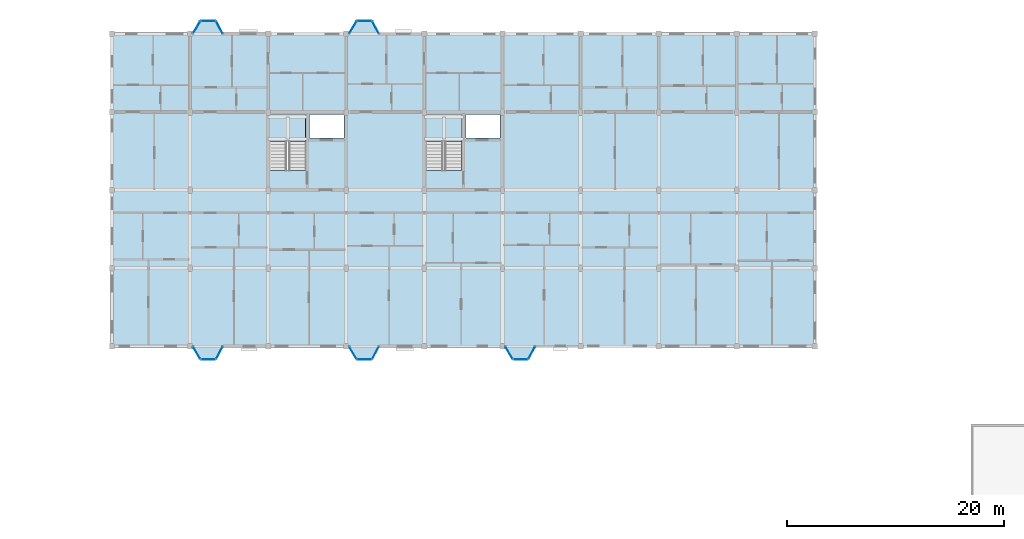
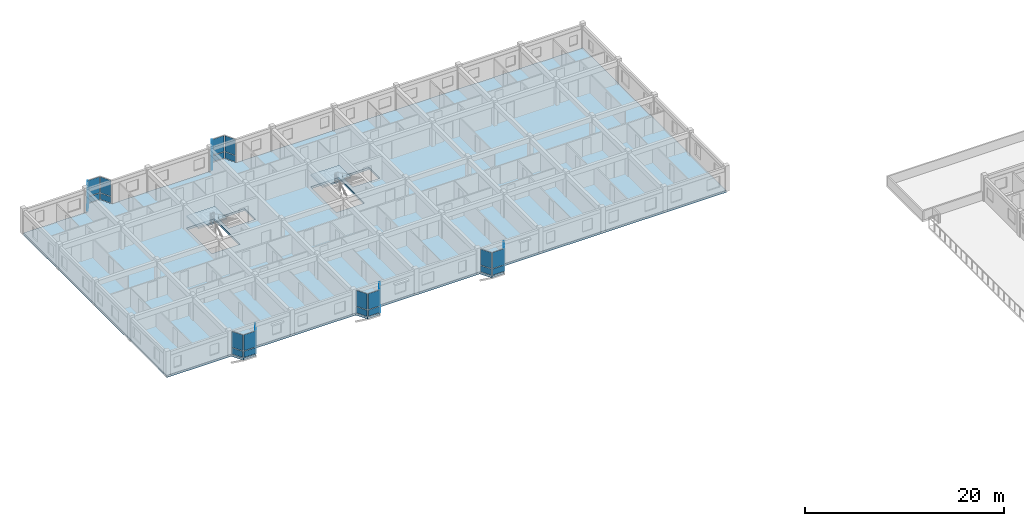
# One storey, part 45 of 70: 30 plates, 3 slabs, 17 elements without a shape of their own.
"""IFC4 building model written with IfcOpenShell, lengths in metres."""

from ifc_helpers import new_model, si_unit, direction, frame, origin, origin_2d, place, context, subcontext, project, spatial, polyline, rectangle, outline, extrude, material, layer, layer_set, type_object, element, aggregate, save


model = new_model("IFC4")

# Units and contexts
model_context = context("Model", 3, precision=1e-05, world=origin(), true_north=direction((0.0, 1.0)))
body_context = subcontext(model_context, "Body", "Model", "MODEL_VIEW")
ifc_project = project(units=[si_unit("LENGTHUNIT", "METRE"), si_unit("AREAUNIT", "SQUARE_METRE"), si_unit("VOLUMEUNIT", "CUBIC_METRE"), si_unit("PLANEANGLEUNIT", "RADIAN"), si_unit("MASSUNIT", "GRAM", prefix="KILO"), si_unit("THERMODYNAMICTEMPERATUREUNIT", "KELVIN"), si_unit("POWERUNIT", "WATT")], contexts=[model_context])

# Site, building, storey
site_placement = place(None, origin())
site = spatial("IfcSite", under=ifc_project, at=site_placement, CompositionType="ELEMENT")
building_placement = place(site_placement, origin())
building = spatial("IfcBuilding", under=site, at=building_placement, Name="Tavuni Mirador Residences", CompositionType="ELEMENT")
storey_placement = place(building_placement, frame((0.0, 0.0, 23.39990234375)))
storey = spatial("IfcBuildingStorey", under=building, at=storey_placement, Name="L07", CompositionType="ELEMENT", Elevation=23.39990234375)

# Curtain wall, plate
ifc_material_1 = material(Name="Anodised aluminium", Category="aluminium")
ifc_layer_1 = layer(ifc_material_1, 0.1650390625, Name="Anodised aluminium", Category="aluminium")
ifc_layer_set_1 = layer_set([ifc_layer_1], Name="Anodised aluminium")
curtain_wall_type_1 = type_object("IfcCurtainWallType", Name="CWT-MIR-A", PredefinedType="NOTDEFINED", material=ifc_layer_set_1)
curtain_wall_1_placement = place(storey_placement, origin())
curtain_wall_1 = element("IfcCurtainWall", 1, at=curtain_wall_1_placement, inside=storey, type_object=curtain_wall_type_1, Name="CW-MIR-C-S1-L07-MF", PredefinedType="NOTDEFINED")
ifc_material_2 = material(Name="Laminated solar-control glass", Category="glass")
ifc_layer_2 = layer(ifc_material_2, 0.02392578125, Name="Laminated solar-control glass", Category="glass")
ifc_layer_set_2 = layer_set([ifc_layer_2], Name="Laminated solar-control glass")
plate_type_1 = type_object("IfcPlateType", Name="CWP-GL24", PredefinedType="CURTAIN_PANEL", material=ifc_layer_set_2)
plate_1_placement = place(storey_placement, frame((19.669921875, 142.800048828125, 0.8798828125), z_axis=(0.0, 0.0, 1.0), x_axis=(1.0, 0.0, 0.0)))
plate_1 = element("IfcPlate", 2, at=plate_1_placement, type_object=plate_type_1, Name="CW-01 panel 1.2", PredefinedType="CURTAIN_PANEL", context=body_context, shape_type="SweptSolid", body=[
    extrude(rectangle(XDim=1.300048828125, YDim=0.02392578125, at=origin_2d()), origin(), (0.0, 0.0, 1.0), 1.945068359375),
])

curtain_wall_2_placement = place(storey_placement, origin())
curtain_wall_2 = element("IfcCurtainWall", 3, at=curtain_wall_2_placement, inside=storey, type_object=curtain_wall_type_1, Name="CW-MIR-C-S2-L07-M2", PredefinedType="NOTDEFINED")
plate_2_placement = place(storey_placement, frame((35.10009765625, 143.39990234375, 0.8798828125), z_axis=(0.0, 0.0, 1.0), x_axis=(0.470588235296, 0.882352941175, 0.0)))
plate_2 = element("IfcPlate", 4, at=plate_2_placement, type_object=plate_type_1, Name="CW-01 panel 1.2", PredefinedType="CURTAIN_PANEL", context=body_context, shape_type="SweptSolid", body=[
    extrude(rectangle(XDim=1.239990234375, YDim=0.02392578125, at=origin_2d()), origin(), (0.0, 0.0, 1.0), 1.945068359375),
])

curtain_wall_3_placement = place(storey_placement, origin())
curtain_wall_3 = element("IfcCurtainWall", 5, at=curtain_wall_3_placement, inside=storey, type_object=curtain_wall_type_1, Name="CW-MIR-C-N2-L07-M1", PredefinedType="NOTDEFINED")
plate_3_placement = place(storey_placement, frame((35.10009765625, 173.39990234375, 0.8798828125), z_axis=(0.0, 0.0, 1.0), x_axis=(-0.470588235296, 0.882352941175, 0.0)))
plate_3 = element("IfcPlate", 6, at=plate_3_placement, type_object=plate_type_1, Name="CW-01 panel 1.2", PredefinedType="CURTAIN_PANEL", context=body_context, shape_type="SweptSolid", body=[
    extrude(rectangle(XDim=1.239990234375, YDim=0.02392578125, at=origin_2d()), origin(), (0.0, 0.0, 1.0), 1.945068359375),
])

curtain_wall_4_placement = place(storey_placement, origin())
curtain_wall_4 = element("IfcCurtainWall", 7, at=curtain_wall_4_placement, inside=storey, type_object=curtain_wall_type_1, Name="CW-MIR-C-N1-L07-MF", PredefinedType="NOTDEFINED")
plate_4_placement = place(storey_placement, frame((19.669921875, 174.0, 0.8798828125), z_axis=(0.0, 0.0, 1.0), x_axis=(-1.0, 0.0, 0.0)))
plate_4 = element("IfcPlate", 8, at=plate_4_placement, type_object=plate_type_1, Name="CW-01 panel 1.2", PredefinedType="CURTAIN_PANEL", context=body_context, shape_type="SweptSolid", body=[
    extrude(rectangle(XDim=1.300048828125, YDim=0.02392578125, at=origin_2d()), origin(), (0.0, 0.0, 1.0), 1.945068359375),
])

ifc_layer_3 = layer(ifc_material_1, 0.14990234375, Name="Anodised aluminium", Category="aluminium")
ifc_layer_set_3 = layer_set([ifc_layer_3], Name="Anodised aluminium")
curtain_wall_type_2 = type_object("IfcCurtainWallType", Name="CWT-MIR-B", PredefinedType="NOTDEFINED", material=ifc_layer_set_3)
curtain_wall_5_placement = place(storey_placement, origin())
curtain_wall_5 = element("IfcCurtainWall", 9, at=curtain_wall_5_placement, inside=storey, type_object=curtain_wall_type_2, Name="CW-MIR-C-S1-L07-M2", PredefinedType="NOTDEFINED")
ifc_layer_4 = layer(ifc_material_2, 0.028076171875, Name="Laminated solar-control glass", Category="glass")
ifc_layer_set_4 = layer_set([ifc_layer_4], Name="Laminated solar-control glass")
plate_type_2 = type_object("IfcPlateType", Name="CWP-GL28", PredefinedType="CURTAIN_PANEL", material=ifc_layer_set_4)
plate_5_placement = place(storey_placement, frame((20.699951171875, 143.39990234375, 0.882568359375), z_axis=(0.0, 0.0, 1.0), x_axis=(0.470588235296, 0.882352941175, 0.0)))
plate_5 = element("IfcPlate", 10, at=plate_5_placement, type_object=plate_type_2, Name="CW-02 panel 1.2", PredefinedType="CURTAIN_PANEL", context=body_context, shape_type="SweptSolid", body=[
    extrude(rectangle(XDim=1.22998046875, YDim=0.028076171875, at=origin_2d()), origin(), (0.0, 0.0, 1.0), 1.9375),
])

curtain_wall_6_placement = place(storey_placement, origin())
curtain_wall_6 = element("IfcCurtainWall", 11, at=curtain_wall_6_placement, inside=storey, type_object=curtain_wall_type_2, Name="CW-MIR-C-S3-L07-M1", PredefinedType="NOTDEFINED")
plate_6_placement = place(storey_placement, frame((47.405029296875, 143.39990234375, 0.882568359375), z_axis=(0.0, 0.0, 1.0), x_axis=(0.509212491254, -0.860640830284, 0.0)))
plate_6 = element("IfcPlate", 12, at=plate_6_placement, type_object=plate_type_2, Name="CW-02 panel 1.2", PredefinedType="CURTAIN_PANEL", context=body_context, shape_type="SweptSolid", body=[
    extrude(rectangle(XDim=1.264404296875, YDim=0.028076171875, at=origin_2d()), origin(), (0.0, 0.0, 1.0), 1.9375),
])

curtain_wall_7_placement = place(storey_placement, origin())
curtain_wall_7 = element("IfcCurtainWall", 13, at=curtain_wall_7_placement, inside=storey, type_object=curtain_wall_type_2, Name="CW-MIR-C-N2-L07-MF", PredefinedType="NOTDEFINED")
plate_7_placement = place(storey_placement, frame((34.070068359375, 174.0, 0.882568359375), z_axis=(0.0, 0.0, 1.0), x_axis=(-1.0, 0.0, 0.0)))
plate_7 = element("IfcPlate", 14, at=plate_7_placement, type_object=plate_type_2, Name="CW-02 panel 1.2", PredefinedType="CURTAIN_PANEL", context=body_context, shape_type="SweptSolid", body=[
    extrude(rectangle(XDim=1.2900390625, YDim=0.028076171875, at=origin_2d()), origin(), (0.0, 0.0, 1.0), 1.9375),
])

curtain_wall_8_placement = place(storey_placement, origin())
curtain_wall_8 = element("IfcCurtainWall", 15, at=curtain_wall_8_placement, inside=storey, type_object=curtain_wall_type_2, Name="CW-MIR-C-N1-L07-M2", PredefinedType="NOTDEFINED")
plate_8_placement = place(storey_placement, frame((18.60498046875, 173.39990234375, 0.882568359375), z_axis=(0.0, 0.0, 1.0), x_axis=(-0.509212491254, -0.860640830284, 0.0)))
plate_8 = element("IfcPlate", 16, at=plate_8_placement, type_object=plate_type_2, Name="CW-02 panel 1.2", PredefinedType="CURTAIN_PANEL", context=body_context, shape_type="SweptSolid", body=[
    extrude(rectangle(XDim=1.264404296875, YDim=0.028076171875, at=origin_2d()), origin(), (0.0, 0.0, 1.0), 1.9375),
])

ifc_layer_5 = layer(ifc_material_1, 0.175048828125, Name="Anodised aluminium", Category="aluminium")
ifc_layer_set_5 = layer_set([ifc_layer_5], Name="Anodised aluminium")
curtain_wall_type_3 = type_object("IfcCurtainWallType", Name="CWT-MIR-C", PredefinedType="NOTDEFINED", material=ifc_layer_set_5)
curtain_wall_9_placement = place(storey_placement, origin())
curtain_wall_9 = element("IfcCurtainWall", 17, at=curtain_wall_9_placement, inside=storey, type_object=curtain_wall_type_3, Name="CW-MIR-C-S2-L07-M1", PredefinedType="NOTDEFINED")
ifc_layer_6 = layer(ifc_material_2, 0.031982421875, Name="Laminated solar-control glass", Category="glass")
ifc_layer_set_6 = layer_set([ifc_layer_6], Name="Laminated solar-control glass")
plate_type_3 = type_object("IfcPlateType", Name="CWP-GL32", PredefinedType="CURTAIN_PANEL", material=ifc_layer_set_6)
plate_9_placement = place(storey_placement, frame((33.0048828125, 143.39990234375, 0.8798828125), z_axis=(0.0, 0.0, 1.0), x_axis=(0.509212491254, -0.860640830284, 0.0)))
plate_9 = element("IfcPlate", 18, at=plate_9_placement, type_object=plate_type_3, Name="CW-03 panel 1.2", PredefinedType="CURTAIN_PANEL", context=body_context, shape_type="SweptSolid", body=[
    extrude(rectangle(XDim=1.2744140625, YDim=0.031982421875, at=origin_2d()), origin(), (0.0, 0.0, 1.0), 1.945068359375),
])

curtain_wall_10_placement = place(storey_placement, origin())
curtain_wall_10 = element("IfcCurtainWall", 19, at=curtain_wall_10_placement, inside=storey, type_object=curtain_wall_type_3, Name="CW-MIR-C-S3-L07-MF", PredefinedType="NOTDEFINED")
plate_10_placement = place(storey_placement, frame((48.469970703125, 142.800048828125, 0.8798828125), z_axis=(0.0, 0.0, 1.0), x_axis=(1.0, 0.0, 0.0)))
plate_10 = element("IfcPlate", 20, at=plate_10_placement, type_object=plate_type_3, Name="CW-03 panel 1.2", PredefinedType="CURTAIN_PANEL", context=body_context, shape_type="SweptSolid", body=[
    extrude(rectangle(XDim=1.300048828125, YDim=0.031982421875, at=origin_2d()), origin(), (0.0, 0.0, 1.0), 1.945068359375),
])

curtain_wall_11_placement = place(storey_placement, origin())
curtain_wall_11 = element("IfcCurtainWall", 21, at=curtain_wall_11_placement, inside=storey, type_object=curtain_wall_type_3, Name="CW-MIR-C-N2-L07-M2", PredefinedType="NOTDEFINED")
plate_11_placement = place(storey_placement, frame((33.0048828125, 173.39990234375, 0.8798828125), z_axis=(0.0, 0.0, 1.0), x_axis=(-0.509212491254, -0.860640830284, 0.0)))
plate_11 = element("IfcPlate", 22, at=plate_11_placement, type_object=plate_type_3, Name="CW-03 panel 1.2", PredefinedType="CURTAIN_PANEL", context=body_context, shape_type="SweptSolid", body=[
    extrude(rectangle(XDim=1.2744140625, YDim=0.031982421875, at=origin_2d()), origin(), (0.0, 0.0, 1.0), 1.945068359375),
])

ifc_layer_7 = layer(ifc_material_1, 0.159912109375, Name="Anodised aluminium", Category="aluminium")
ifc_layer_set_7 = layer_set([ifc_layer_7], Name="Anodised aluminium")
curtain_wall_type_4 = type_object("IfcCurtainWallType", Name="CWT-MIR-D", PredefinedType="NOTDEFINED", material=ifc_layer_set_7)
curtain_wall_12_placement = place(storey_placement, origin())
curtain_wall_12 = element("IfcCurtainWall", 23, at=curtain_wall_12_placement, inside=storey, type_object=curtain_wall_type_4, Name="CW-MIR-C-S1-L07-M1", PredefinedType="NOTDEFINED")
ifc_layer_8 = layer(ifc_material_2, 0.035888671875, Name="Laminated solar-control glass", Category="glass")
ifc_layer_set_8 = layer_set([ifc_layer_8], Name="Laminated solar-control glass")
plate_type_4 = type_object("IfcPlateType", Name="CWP-GL36", PredefinedType="CURTAIN_PANEL", material=ifc_layer_set_8)
plate_12_placement = place(storey_placement, frame((18.60498046875, 143.39990234375, 0.882568359375), z_axis=(0.0, 0.0, 1.0), x_axis=(0.509212491254, -0.860640830284, 0.0)))
plate_12 = element("IfcPlate", 24, at=plate_12_placement, type_object=plate_type_4, Name="CW-04 panel 1.2", PredefinedType="CURTAIN_PANEL", context=body_context, shape_type="SweptSolid", body=[
    extrude(rectangle(XDim=1.264404296875, YDim=0.035888671875, at=origin_2d()), origin(), (0.0, 0.0, 1.0), 1.9375),
])

curtain_wall_13_placement = place(storey_placement, origin())
curtain_wall_13 = element("IfcCurtainWall", 25, at=curtain_wall_13_placement, inside=storey, type_object=curtain_wall_type_4, Name="CW-MIR-C-S2-L07-MF", PredefinedType="NOTDEFINED")
plate_13_placement = place(storey_placement, frame((34.070068359375, 142.800048828125, 0.882568359375), z_axis=(0.0, 0.0, 1.0), x_axis=(1.0, 0.0, 0.0)))
plate_13 = element("IfcPlate", 26, at=plate_13_placement, type_object=plate_type_4, Name="CW-04 panel 1.2", PredefinedType="CURTAIN_PANEL", context=body_context, shape_type="SweptSolid", body=[
    extrude(rectangle(XDim=1.2900390625, YDim=0.035888671875, at=origin_2d()), origin(), (0.0, 0.0, 1.0), 1.9375),
])

curtain_wall_14_placement = place(storey_placement, origin())
curtain_wall_14 = element("IfcCurtainWall", 27, at=curtain_wall_14_placement, inside=storey, type_object=curtain_wall_type_4, Name="CW-MIR-C-S3-L07-M2", PredefinedType="NOTDEFINED")
plate_14_placement = place(storey_placement, frame((49.5, 143.39990234375, 0.882568359375), z_axis=(0.0, 0.0, 1.0), x_axis=(0.470588235296, 0.882352941175, 0.0)))
plate_14 = element("IfcPlate", 28, at=plate_14_placement, type_object=plate_type_4, Name="CW-04 panel 1.2", PredefinedType="CURTAIN_PANEL", context=body_context, shape_type="SweptSolid", body=[
    extrude(rectangle(XDim=1.22998046875, YDim=0.035888671875, at=origin_2d()), origin(), (0.0, 0.0, 1.0), 1.9375),
])

curtain_wall_15_placement = place(storey_placement, origin())
curtain_wall_15 = element("IfcCurtainWall", 29, at=curtain_wall_15_placement, inside=storey, type_object=curtain_wall_type_4, Name="CW-MIR-C-N1-L07-M1", PredefinedType="NOTDEFINED")
plate_15_placement = place(storey_placement, frame((20.699951171875, 173.39990234375, 0.882568359375), z_axis=(0.0, 0.0, 1.0), x_axis=(-0.470588235296, 0.882352941175, 0.0)))
plate_15 = element("IfcPlate", 30, at=plate_15_placement, type_object=plate_type_4, Name="CW-04 panel 1.2", PredefinedType="CURTAIN_PANEL", context=body_context, shape_type="SweptSolid", body=[
    extrude(rectangle(XDim=1.22998046875, YDim=0.035888671875, at=origin_2d()), origin(), (0.0, 0.0, 1.0), 1.9375),
])

# Plate
ifc_material_3 = material(Name="Ceramic trencadis mosaic panel", Category="masonry")
ifc_layer_9 = layer(ifc_material_3, 0.0419921875, Name="Ceramic trencadis mosaic panel", Category="masonry")
ifc_layer_set_9 = layer_set([ifc_layer_9], Name="Ceramic trencadis mosaic panel")
plate_type_5 = type_object("IfcPlateType", Name="CWP-SP42", PredefinedType="CURTAIN_PANEL", material=ifc_layer_set_9)
plate_16_placement = place(storey_placement, frame((19.669921875, 142.800048828125, 0.06005859375), z_axis=(0.0, 0.0, 1.0), x_axis=(1.0, 0.0, 0.0)))
plate_16 = element("IfcPlate", 31, at=plate_16_placement, type_object=plate_type_5, Name="CW-01 panel 1.1", PredefinedType="CURTAIN_PANEL", context=body_context, shape_type="SweptSolid", body=[
    extrude(rectangle(XDim=1.300048828125, YDim=0.0419921875, at=origin_2d()), origin(), (0.0, 0.0, 1.0), 0.760009765625),
])

aggregate(curtain_wall_1, [plate_16, plate_1])

plate_17_placement = place(storey_placement, frame((33.0048828125, 143.39990234375, 0.06005859375), z_axis=(0.0, 0.0, 1.0), x_axis=(0.509212491254, -0.860640830284, 0.0)))
plate_17 = element("IfcPlate", 32, at=plate_17_placement, type_object=plate_type_5, Name="CW-03 panel 1.1", PredefinedType="CURTAIN_PANEL", context=body_context, shape_type="SweptSolid", body=[
    extrude(rectangle(XDim=1.2744140625, YDim=0.0419921875, at=origin_2d()), origin(), (0.0, 0.0, 1.0), 0.760009765625),
])

aggregate(curtain_wall_9, [plate_17, plate_9])

plate_18_placement = place(storey_placement, frame((35.10009765625, 143.39990234375, 0.06005859375), z_axis=(0.0, 0.0, 1.0), x_axis=(0.470588235296, 0.882352941175, 0.0)))
plate_18 = element("IfcPlate", 33, at=plate_18_placement, type_object=plate_type_5, Name="CW-01 panel 1.1", PredefinedType="CURTAIN_PANEL", context=body_context, shape_type="SweptSolid", body=[
    extrude(rectangle(XDim=1.239990234375, YDim=0.0419921875, at=origin_2d()), origin(), (0.0, 0.0, 1.0), 0.760009765625),
])

aggregate(curtain_wall_2, [plate_18, plate_2])

plate_19_placement = place(storey_placement, frame((48.469970703125, 142.800048828125, 0.06005859375), z_axis=(0.0, 0.0, 1.0), x_axis=(1.0, 0.0, 0.0)))
plate_19 = element("IfcPlate", 34, at=plate_19_placement, type_object=plate_type_5, Name="CW-03 panel 1.1", PredefinedType="CURTAIN_PANEL", context=body_context, shape_type="SweptSolid", body=[
    extrude(rectangle(XDim=1.300048828125, YDim=0.0419921875, at=origin_2d()), origin(), (0.0, 0.0, 1.0), 0.760009765625),
])

aggregate(curtain_wall_10, [plate_19, plate_10])

plate_20_placement = place(storey_placement, frame((35.10009765625, 173.39990234375, 0.06005859375), z_axis=(0.0, 0.0, 1.0), x_axis=(-0.470588235296, 0.882352941175, 0.0)))
plate_20 = element("IfcPlate", 35, at=plate_20_placement, type_object=plate_type_5, Name="CW-01 panel 1.1", PredefinedType="CURTAIN_PANEL", context=body_context, shape_type="SweptSolid", body=[
    extrude(rectangle(XDim=1.239990234375, YDim=0.0419921875, at=origin_2d()), origin(), (0.0, 0.0, 1.0), 0.760009765625),
])

aggregate(curtain_wall_3, [plate_20, plate_3])

plate_21_placement = place(storey_placement, frame((33.0048828125, 173.39990234375, 0.06005859375), z_axis=(0.0, 0.0, 1.0), x_axis=(-0.509212491254, -0.860640830284, 0.0)))
plate_21 = element("IfcPlate", 36, at=plate_21_placement, type_object=plate_type_5, Name="CW-03 panel 1.1", PredefinedType="CURTAIN_PANEL", context=body_context, shape_type="SweptSolid", body=[
    extrude(rectangle(XDim=1.2744140625, YDim=0.0419921875, at=origin_2d()), origin(), (0.0, 0.0, 1.0), 0.760009765625),
])

aggregate(curtain_wall_11, [plate_21, plate_11])

plate_22_placement = place(storey_placement, frame((19.669921875, 174.0, 0.06005859375), z_axis=(0.0, 0.0, 1.0), x_axis=(-1.0, 0.0, 0.0)))
plate_22 = element("IfcPlate", 37, at=plate_22_placement, type_object=plate_type_5, Name="CW-01 panel 1.1", PredefinedType="CURTAIN_PANEL", context=body_context, shape_type="SweptSolid", body=[
    extrude(rectangle(XDim=1.300048828125, YDim=0.0419921875, at=origin_2d()), origin(), (0.0, 0.0, 1.0), 0.760009765625),
])

aggregate(curtain_wall_4, [plate_22, plate_4])

ifc_layer_10 = layer(ifc_material_3, 0.048095703125, Name="Ceramic trencadis mosaic panel", Category="masonry")
ifc_layer_set_10 = layer_set([ifc_layer_10], Name="Ceramic trencadis mosaic panel")
plate_type_6 = type_object("IfcPlateType", Name="CWP-SP48", PredefinedType="CURTAIN_PANEL", material=ifc_layer_set_10)
plate_23_placement = place(storey_placement, frame((18.60498046875, 143.39990234375, 0.065185546875), z_axis=(0.0, 0.0, 1.0), x_axis=(0.509212491254, -0.860640830284, 0.0)))
plate_23 = element("IfcPlate", 38, at=plate_23_placement, type_object=plate_type_6, Name="CW-04 panel 1.1", PredefinedType="CURTAIN_PANEL", context=body_context, shape_type="SweptSolid", body=[
    extrude(rectangle(XDim=1.264404296875, YDim=0.048095703125, at=origin_2d()), origin(), (0.0, 0.0, 1.0), 0.75244140625),
])

aggregate(curtain_wall_12, [plate_23, plate_12])

plate_24_placement = place(storey_placement, frame((20.699951171875, 143.39990234375, 0.065185546875), z_axis=(0.0, 0.0, 1.0), x_axis=(0.470588235296, 0.882352941175, 0.0)))
plate_24 = element("IfcPlate", 39, at=plate_24_placement, type_object=plate_type_6, Name="CW-02 panel 1.1", PredefinedType="CURTAIN_PANEL", context=body_context, shape_type="SweptSolid", body=[
    extrude(rectangle(XDim=1.22998046875, YDim=0.048095703125, at=origin_2d()), origin(), (0.0, 0.0, 1.0), 0.75244140625),
])

aggregate(curtain_wall_5, [plate_24, plate_5])

plate_25_placement = place(storey_placement, frame((34.070068359375, 142.800048828125, 0.065185546875), z_axis=(0.0, 0.0, 1.0), x_axis=(1.0, 0.0, 0.0)))
plate_25 = element("IfcPlate", 40, at=plate_25_placement, type_object=plate_type_6, Name="CW-04 panel 1.1", PredefinedType="CURTAIN_PANEL", context=body_context, shape_type="SweptSolid", body=[
    extrude(rectangle(XDim=1.2900390625, YDim=0.048095703125, at=origin_2d()), origin(), (0.0, 0.0, 1.0), 0.75244140625),
])

aggregate(curtain_wall_13, [plate_25, plate_13])

plate_26_placement = place(storey_placement, frame((47.405029296875, 143.39990234375, 0.065185546875), z_axis=(0.0, 0.0, 1.0), x_axis=(0.509212491254, -0.860640830284, 0.0)))
plate_26 = element("IfcPlate", 41, at=plate_26_placement, type_object=plate_type_6, Name="CW-02 panel 1.1", PredefinedType="CURTAIN_PANEL", context=body_context, shape_type="SweptSolid", body=[
    extrude(rectangle(XDim=1.264404296875, YDim=0.048095703125, at=origin_2d()), origin(), (0.0, 0.0, 1.0), 0.75244140625),
])

aggregate(curtain_wall_6, [plate_26, plate_6])

plate_27_placement = place(storey_placement, frame((49.5, 143.39990234375, 0.065185546875), z_axis=(0.0, 0.0, 1.0), x_axis=(0.470588235296, 0.882352941175, 0.0)))
plate_27 = element("IfcPlate", 42, at=plate_27_placement, type_object=plate_type_6, Name="CW-04 panel 1.1", PredefinedType="CURTAIN_PANEL", context=body_context, shape_type="SweptSolid", body=[
    extrude(rectangle(XDim=1.22998046875, YDim=0.048095703125, at=origin_2d()), origin(), (0.0, 0.0, 1.0), 0.75244140625),
])

aggregate(curtain_wall_14, [plate_27, plate_14])

plate_28_placement = place(storey_placement, frame((34.070068359375, 174.0, 0.065185546875), z_axis=(0.0, 0.0, 1.0), x_axis=(-1.0, 0.0, 0.0)))
plate_28 = element("IfcPlate", 43, at=plate_28_placement, type_object=plate_type_6, Name="CW-02 panel 1.1", PredefinedType="CURTAIN_PANEL", context=body_context, shape_type="SweptSolid", body=[
    extrude(rectangle(XDim=1.2900390625, YDim=0.048095703125, at=origin_2d()), origin(), (0.0, 0.0, 1.0), 0.75244140625),
])

aggregate(curtain_wall_7, [plate_28, plate_7])

plate_29_placement = place(storey_placement, frame((20.699951171875, 173.39990234375, 0.065185546875), z_axis=(0.0, 0.0, 1.0), x_axis=(-0.470588235296, 0.882352941175, 0.0)))
plate_29 = element("IfcPlate", 44, at=plate_29_placement, type_object=plate_type_6, Name="CW-04 panel 1.1", PredefinedType="CURTAIN_PANEL", context=body_context, shape_type="SweptSolid", body=[
    extrude(rectangle(XDim=1.22998046875, YDim=0.048095703125, at=origin_2d()), origin(), (0.0, 0.0, 1.0), 0.75244140625),
])

aggregate(curtain_wall_15, [plate_29, plate_15])

plate_30_placement = place(storey_placement, frame((18.60498046875, 173.39990234375, 0.065185546875), z_axis=(0.0, 0.0, 1.0), x_axis=(-0.509212491254, -0.860640830284, 0.0)))
plate_30 = element("IfcPlate", 45, at=plate_30_placement, type_object=plate_type_6, Name="CW-02 panel 1.1", PredefinedType="CURTAIN_PANEL", context=body_context, shape_type="SweptSolid", body=[
    extrude(rectangle(XDim=1.264404296875, YDim=0.048095703125, at=origin_2d()), origin(), (0.0, 0.0, 1.0), 0.75244140625),
])

aggregate(curtain_wall_8, [plate_30, plate_8])

# Slab
ifc_material_4 = material(Name="Prestressed concrete C45/55", Category="concrete")
ifc_layer_11 = layer(ifc_material_4, 0.264892578125, Name="Prestressed concrete C45/55", Category="concrete")
ifc_layer_set_11 = layer_set([ifc_layer_11], Name="Prestressed concrete C45/55")
slab_type_1 = type_object("IfcSlabType", Name="SLT-FLR265", PredefinedType="FLOOR", material=ifc_layer_set_11)
slab_1_placement = place(storey_placement, frame((0.0, 0.0, -0.264892578125)))
element("IfcSlab", 46, at=slab_1_placement, inside=storey, type_object=slab_type_1, Name="SLB-BLK-C-L07", PredefinedType="FLOOR", context=body_context, shape_type="SweptSolid", body=[
    extrude(outline(polyline([(10.800048828125, 144.0), (18.25, 144.0), (18.9599609375, 142.800048828125), (20.3798828125, 142.800048828125), (21.02001953125, 144.0), (32.64990234375, 144.0), (33.360107421875, 142.800048828125), (34.780029296875, 142.800048828125), (35.419921875, 144.0), (47.050048828125, 144.0), (47.760009765625, 142.800048828125), (49.179931640625, 142.800048828125), (49.820068359375, 144.0), (75.60009765625, 144.0), (75.60009765625, 172.800048828125), (35.419921875, 172.800048828125), (34.780029296875, 174.0), (33.360107421875, 174.0), (32.64990234375, 172.800048828125), (21.02001953125, 172.800048828125), (20.3798828125, 174.0), (18.9599609375, 174.0), (18.25, 172.800048828125), (10.800048828125, 172.800048828125), (10.800048828125, 144.0)]), holes=[polyline([(25.360107421875, 160.2080078125), (28.639892578125, 160.2080078125), (28.639892578125, 165.360107421875), (25.360107421875, 165.360107421875), (25.360107421875, 160.2080078125)]), polyline([(29.02001953125, 163.219970703125), (32.179931640625, 163.219970703125), (32.179931640625, 165.3798828125), (29.02001953125, 165.3798828125), (29.02001953125, 163.219970703125)]), polyline([(39.760009765625, 160.2080078125), (43.0400390625, 160.2080078125), (43.0400390625, 165.360107421875), (39.760009765625, 165.360107421875), (39.760009765625, 160.2080078125)]), polyline([(43.419921875, 163.219970703125), (46.580078125, 163.219970703125), (46.580078125, 165.3798828125), (43.419921875, 165.3798828125), (43.419921875, 163.219970703125)])]), origin(), (0.0, 0.0, 1.0), 0.264892578125),
])

# Stair, slab
ifc_material_5 = material(Name="Precast concrete C40/50", Category="concrete")
stair_type = type_object("IfcStairType", Name="STT-TYP", PredefinedType="HALF_TURN_STAIR", material=ifc_material_5)
stair_1_placement = place(storey_placement, origin())
stair_1 = element("IfcStair", 47, at=stair_1_placement, inside=storey, type_object=stair_type, Name="Protected exit stair ST5 (L07)", PredefinedType="HALF_TURN_STAIR")
ifc_layer_12 = layer(ifc_material_5, 0.179931640625, Name="Precast concrete C40/50", Category="concrete")
ifc_layer_set_12 = layer_set([ifc_layer_12], Name="Precast concrete C40/50")
slab_type_2 = type_object("IfcSlabType", Name="SLT-LND180", PredefinedType="LANDING", material=ifc_layer_set_12)
slab_2_placement = place(storey_placement, frame((0.0, 0.0, 1.39501953125)))
slab_2 = element("IfcSlab", 48, at=slab_2_placement, type_object=slab_type_2, Name="ST5 landing 1", PredefinedType="LANDING", context=body_context, shape_type="SweptSolid", body=[
    extrude(outline(polyline([(25.340087890625, 162.89208984375), (28.659912109375, 162.89208984375), (28.659912109375, 165.300048828125), (25.340087890625, 165.300048828125), (25.340087890625, 162.89208984375)])), origin(), (0.0, 0.0, 1.0), 0.18017578125),
])
aggregate(stair_1, [slab_2])

stair_2_placement = place(storey_placement, origin())
stair_2 = element("IfcStair", 49, at=stair_2_placement, inside=storey, type_object=stair_type, Name="Protected exit stair ST6 (L07)", PredefinedType="HALF_TURN_STAIR")
slab_3_placement = place(storey_placement, frame((0.0, 0.0, 1.39501953125)))
slab_3 = element("IfcSlab", 50, at=slab_3_placement, type_object=slab_type_2, Name="ST6 landing 1", PredefinedType="LANDING", context=body_context, shape_type="SweptSolid", body=[
    extrude(outline(polyline([(39.739990234375, 162.89208984375), (43.06005859375, 162.89208984375), (43.06005859375, 165.300048828125), (39.739990234375, 165.300048828125), (39.739990234375, 162.89208984375)])), origin(), (0.0, 0.0, 1.0), 0.18017578125),
])
aggregate(stair_2, [slab_3])

save(model, "model.ifc")
